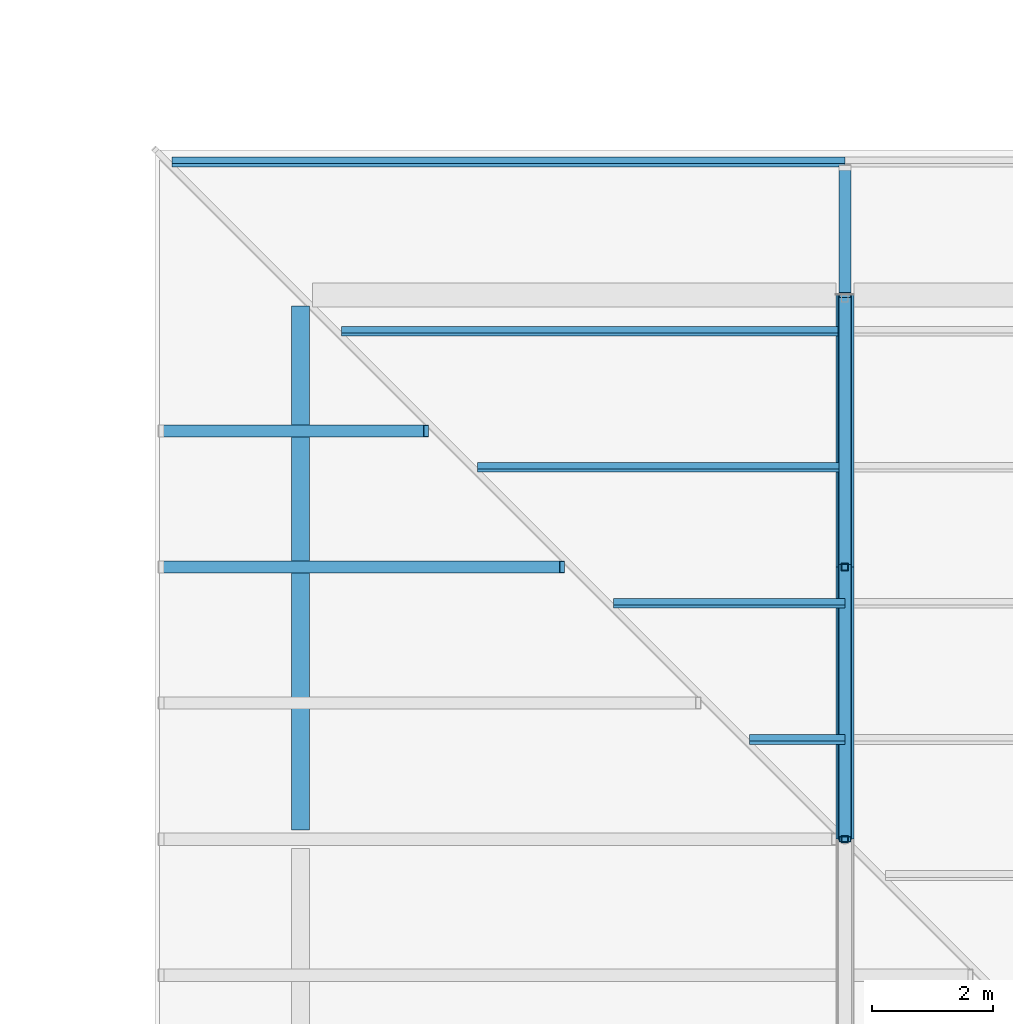
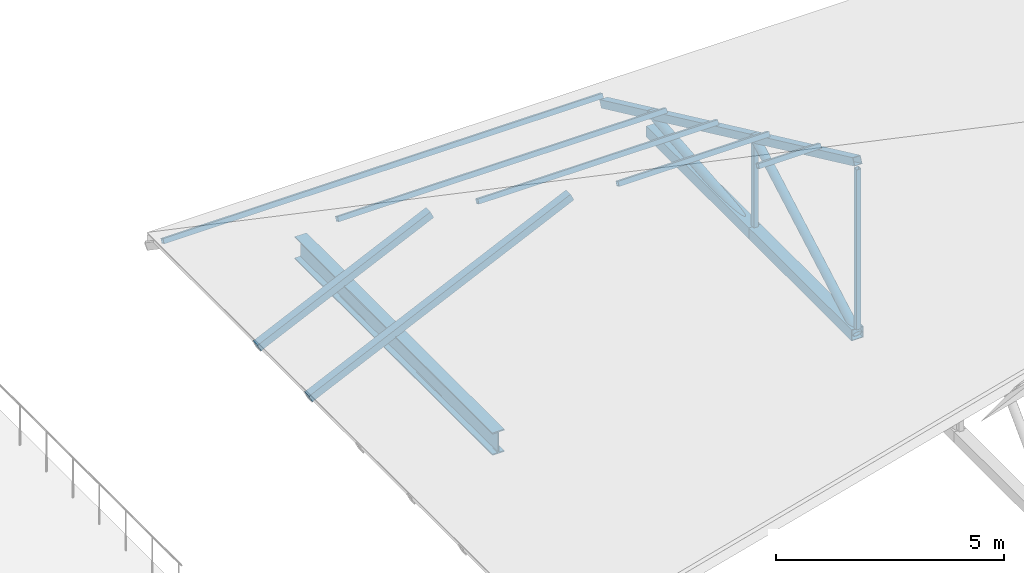
# One storey, part 56 of 154: 16 members, 1 beam.
"""IFC4 building model written with IfcOpenShell, lengths in metres."""

from ifc_helpers import new_model, si_unit, direction, frame, origin, origin_2d, place, context, subcontext, project, spatial, hollow_rectangle, hollow_circle, i_section, extrude, material, material_profile, profile_set, type_object, element, save


model = new_model("IFC4")

# Units and contexts
model_context = context("Model", 3, precision=1e-05, world=origin(), true_north=direction((0.0, 1.0)))
body_context = subcontext(model_context, "Body", "Model", "MODEL_VIEW")
ifc_project = project(units=[si_unit("LENGTHUNIT", "METRE"), si_unit("AREAUNIT", "SQUARE_METRE"), si_unit("VOLUMEUNIT", "CUBIC_METRE"), si_unit("PLANEANGLEUNIT", "RADIAN"), si_unit("MASSUNIT", "GRAM", prefix="KILO")], contexts=[model_context])

# Site, building, storey
site_placement = place(None, origin())
site = spatial("IfcSite", under=ifc_project, at=site_placement, CompositionType="ELEMENT")
building_placement = place(site_placement, origin())
building = spatial("IfcBuilding", under=site, at=building_placement, Name="Golden Quay Civic Hall", CompositionType="ELEMENT")
storey_placement = place(building_placement, frame((0.0, 0.0, 14.39990234375)))
storey = spatial("IfcBuildingStorey", under=building, at=storey_placement, Name="L03", CompositionType="ELEMENT", Elevation=14.39990234375)

# Beam
ifc_material_1 = material(Name="Steel S355", Category="steel")
ifc_material_profile_1 = material_profile(ifc_material_1, i_section(OverallWidth=0.300048828125, OverallDepth=0.60009765625, WebThickness=0.015380859375, FlangeThickness=0.030029296875, FilletRadius=0.027099609375, at=origin_2d()), Name="HEB 600")
ifc_profile_set_1 = profile_set([ifc_material_profile_1], Name="Steel S355")
beam_type = type_object("IfcBeamType", Name="Steel eaves girder HEB 600", PredefinedType="BEAM", material=ifc_profile_set_1)
beam_placement = place(storey_placement, frame((117.0, 90.14990234375, 0.050048828125), z_axis=(0.0, 1.0, 0.0), x_axis=(-1.0, 0.0, 0.0)))
element("IfcBeam", 1, at=beam_placement, inside=storey, type_object=beam_type, Name="Eaves girder 117-4 L03", PredefinedType="BEAM", context=body_context, shape_type="SweptSolid", body=[
    extrude(i_section(OverallWidth=0.300048828125, OverallDepth=0.60009765625, WebThickness=0.015380859375, FlangeThickness=0.030029296875, FilletRadius=0.027099609375, at=origin_2d()), origin(), (0.0, 0.0, 1.0), 8.670166015625),
])

# Members
ifc_material_2 = material(Name="Steel S355", Category="steel")
ifc_material_profile_2 = material_profile(ifc_material_2, hollow_rectangle(XDim=0.199951171875, YDim=0.199951171875, WallThickness=0.010009765625, at=origin_2d()), Name="SHS 200x200x10")
ifc_profile_set_2 = profile_set([ifc_material_profile_2], Name="Steel S355")
member_type_1 = type_object("IfcMemberType", Name="Steel jack rafter SHS 200x200x10", PredefinedType="RAFTER", material=ifc_profile_set_2)
member_1_placement = place(storey_placement, frame((114.699951171875, 94.5, -0.56787109375), z_axis=(0.906304264127, 0.0, 0.422625816563), x_axis=(0.0, 1.0, 0.0)))
element("IfcMember", 2, at=member_1_placement, inside=storey, type_object=member_type_1, Name="Jack rafter west 14 L03", PredefinedType="RAFTER", context=body_context, shape_type="SweptSolid", body=[
    extrude(hollow_rectangle(XDim=0.199951171875, YDim=0.199951171875, WallThickness=0.010009765625, at=origin_2d()), origin(), (0.0, 0.0, 1.0), 7.309814453125),
])
member_2_placement = place(storey_placement, frame((114.699951171875, 96.75, -0.56787109375), z_axis=(0.906312305086, 0.0, 0.422608572617), x_axis=(0.0, 1.0, 0.0)))
element("IfcMember", 3, at=member_2_placement, inside=storey, type_object=member_type_1, Name="Jack rafter west 15 L03", PredefinedType="RAFTER", context=body_context, shape_type="SweptSolid", body=[
    extrude(hollow_rectangle(XDim=0.199951171875, YDim=0.199951171875, WallThickness=0.010009765625, at=origin_2d()), origin(), (0.0, 0.0, 1.0), 4.8271484375),
])
ifc_material_3 = material(Name="Steel S355", Category="steel")
ifc_material_profile_3 = material_profile(ifc_material_3, hollow_rectangle(XDim=0.1201171875, YDim=0.1201171875, WallThickness=0.008056640625, at=origin_2d()), Name="SHS 120x120x8")
ifc_profile_set_3 = profile_set([ifc_material_profile_3], Name="Steel S355")
member_type_2 = type_object("IfcMemberType", Name="Steel roof purlin SHS 120x120x8", PredefinedType="PURLIN", material=ifc_profile_set_3)
member_3_placement = place(storey_placement, frame((114.875, 101.199951171875, -0.521240234375), z_axis=(1.0, 0.0, 0.0), x_axis=(0.0, 0.906307787037, -0.422618261741)))
element("IfcMember", 4, at=member_3_placement, inside=storey, type_object=member_type_2, Name="Purlin north 1-1 L03", PredefinedType="PURLIN", context=body_context, shape_type="SweptSolid", body=[
    extrude(hollow_rectangle(XDim=0.1201171875, YDim=0.1201171875, WallThickness=0.008056640625, at=origin_2d()), origin(), (0.0, 0.0, 1.0), 11.125),
])
member_4_placement = place(storey_placement, frame((117.675048828125, 98.39990234375, 0.784423828125), z_axis=(1.0, 0.0, 0.0), x_axis=(0.0, 0.906307787037, -0.422618261741)))
element("IfcMember", 5, at=member_4_placement, inside=storey, type_object=member_type_2, Name="Purlin north 2-1 L03", PredefinedType="PURLIN", context=body_context, shape_type="SweptSolid", body=[
    extrude(hollow_rectangle(XDim=0.1201171875, YDim=0.1201171875, WallThickness=0.008056640625, at=origin_2d()), origin(), (0.0, 0.0, 1.0), 8.324951171875),
])
member_5_placement = place(storey_placement, frame((119.925048828125, 96.14990234375, 1.83349609375), z_axis=(1.0, 0.0, 0.0), x_axis=(0.0, 0.906307787037, -0.422618261741)))
element("IfcMember", 6, at=member_5_placement, inside=storey, type_object=member_type_2, Name="Purlin north 3-1 L03", PredefinedType="PURLIN", context=body_context, shape_type="SweptSolid", body=[
    extrude(hollow_rectangle(XDim=0.1201171875, YDim=0.1201171875, WallThickness=0.008056640625, at=origin_2d()), origin(), (0.0, 0.0, 1.0), 6.074951171875),
])
member_6_placement = place(storey_placement, frame((122.175048828125, 93.89990234375, 2.8828125), z_axis=(1.0, 0.0, 0.0), x_axis=(0.0, 0.906307787037, -0.422618261741)))
element("IfcMember", 7, at=member_6_placement, inside=storey, type_object=member_type_2, Name="Purlin north 4-1 L03", PredefinedType="PURLIN", context=body_context, shape_type="SweptSolid", body=[
    extrude(hollow_rectangle(XDim=0.1201171875, YDim=0.1201171875, WallThickness=0.008056640625, at=origin_2d()), origin(), (0.0, 0.0, 1.0), 3.824951171875),
])
member_7_placement = place(storey_placement, frame((124.425048828125, 91.64990234375, 3.931884765625), z_axis=(1.0, 0.0, 0.0), x_axis=(0.0, 0.906307787037, -0.422618261741)))
element("IfcMember", 8, at=member_7_placement, inside=storey, type_object=member_type_2, Name="Purlin north 5-1 L03", PredefinedType="PURLIN", context=body_context, shape_type="SweptSolid", body=[
    extrude(hollow_rectangle(XDim=0.1201171875, YDim=0.1201171875, WallThickness=0.008056640625, at=origin_2d()), origin(), (0.0, 0.0, 1.0), 1.574951171875),
])
ifc_material_4 = material(Name="Steel S355", Category="steel")
ifc_material_profile_4 = material_profile(ifc_material_4, hollow_rectangle(XDim=0.300048828125, YDim=0.300048828125, WallThickness=0.01611328125, at=origin_2d()), Name="SHS 300x300x16")
ifc_profile_set_4 = profile_set([ifc_material_profile_4], Name="Steel S355")
member_type_3 = type_object("IfcMemberType", Name="Steel truss bottom chord SHS 300x300x16", PredefinedType="USERDEFINED", material=ifc_profile_set_4)
for number, where, z_axis, x_axis, name in (
    (9, (126.0, 90.0, -0.099853515625), (0.0, 1.0, 0.0), (-1.0, 0.0, 0.0), "Truss 126 bottom chord 7 L03"),
    (10, (126.0, 94.5, -0.099853515625), (0.0, 1.0, 0.0), (-1.0, 0.0, 0.0), "Truss 126 bottom chord 8 L03"),
):
    element("IfcMember", number, at=place(storey_placement, frame(where, z_axis=z_axis, x_axis=x_axis)), inside=storey, type_object=member_type_3, Name=name, ObjectType="TRUSS BOTTOM CHORD", PredefinedType="USERDEFINED", context=body_context, shape_type="SweptSolid", body=[
        extrude(hollow_rectangle(XDim=0.300048828125, YDim=0.300048828125, WallThickness=0.01611328125, at=origin_2d()), origin(), (0.0, 0.0, 1.0), 4.5),
    ])
ifc_material_5 = material(Name="Steel S355", Category="steel")
ifc_material_profile_5 = material_profile(ifc_material_5, hollow_circle(Radius=0.109619140625, WallThickness=0.010009765625, at=origin_2d()), Name="CHS 219.1x10")
ifc_profile_set_5 = profile_set([ifc_material_profile_5], Name="Steel S355")
member_type_4 = type_object("IfcMemberType", Name="Steel truss diagonal CHS 219.1x10", PredefinedType="BRACE", material=ifc_profile_set_5)
member_8_placement = place(storey_placement, frame((126.0, 90.0, -0.099853515625), z_axis=(0.0, 0.871979533951, 0.489542329499), x_axis=(-1.0, 0.0, 0.0)))
element("IfcMember", 11, at=member_8_placement, inside=storey, type_object=member_type_4, Name="Truss 126 diagonal 7 L03", PredefinedType="BRACE", context=body_context, shape_type="SweptSolid", body=[
    extrude(hollow_circle(Radius=0.109619140625, WallThickness=0.010009765625, at=origin_2d()), origin(), (0.0, 0.0, 1.0), 5.16064453125),
])
member_9_placement = place(storey_placement, frame((126.0, 94.5, -0.099853515625), z_axis=(0.0, 0.995512933083, 0.094625578275), x_axis=(-1.0, 0.0, 0.0)))
element("IfcMember", 12, at=member_9_placement, inside=storey, type_object=member_type_4, Name="Truss 126 diagonal 8 L03", PredefinedType="BRACE", context=body_context, shape_type="SweptSolid", body=[
    extrude(hollow_circle(Radius=0.109619140625, WallThickness=0.010009765625, at=origin_2d()), origin(), (0.0, 0.0, 1.0), 4.520263671875),
])
ifc_material_6 = material(Name="Steel S355", Category="steel")
ifc_material_profile_6 = material_profile(ifc_material_6, hollow_rectangle(XDim=0.1201171875, YDim=0.1201171875, WallThickness=0.008056640625, at=origin_2d()), Name="SHS 120x120x8")
ifc_profile_set_6 = profile_set([ifc_material_profile_6], Name="Steel S355")
member_type_5 = type_object("IfcMemberType", Name="Steel truss post SHS 120x120x8", PredefinedType="USERDEFINED", material=ifc_profile_set_6)
member_10_placement = place(storey_placement, frame((126.0, 90.0, 0.050048828125), z_axis=(0.0, 0.0, 1.0), x_axis=(1.0, 0.0, 0.0)))
element("IfcMember", 13, at=member_10_placement, inside=storey, type_object=member_type_5, Name="Truss 126 post 7 L03", ObjectType="TRUSS POST", PredefinedType="USERDEFINED", context=body_context, shape_type="SweptSolid", body=[
    extrude(hollow_rectangle(XDim=0.1201171875, YDim=0.1201171875, WallThickness=0.008056640625, at=origin_2d()), origin(), (0.0, 0.0, 1.0), 4.276123046875),
])
member_11_placement = place(storey_placement, frame((126.0, 94.5, 0.050048828125), z_axis=(0.0, 0.0, 1.0), x_axis=(1.0, 0.0, 0.0)))
element("IfcMember", 14, at=member_11_placement, inside=storey, type_object=member_type_5, Name="Truss 126 post 8 L03", ObjectType="TRUSS POST", PredefinedType="USERDEFINED", context=body_context, shape_type="SweptSolid", body=[
    extrude(hollow_rectangle(XDim=0.1201171875, YDim=0.1201171875, WallThickness=0.008056640625, at=origin_2d()), origin(), (0.0, 0.0, 1.0), 2.26611328125),
])
ifc_material_7 = material(Name="Steel S355", Category="steel")
ifc_material_profile_7 = material_profile(ifc_material_7, hollow_rectangle(XDim=0.199951171875, YDim=0.199951171875, WallThickness=0.010009765625, at=origin_2d()), Name="SHS 200x200x10")
ifc_profile_set_7 = profile_set([ifc_material_profile_7], Name="Steel S355")
member_type_6 = type_object("IfcMemberType", Name="Steel truss top chord SHS 200x200x10", PredefinedType="USERDEFINED", material=ifc_profile_set_7)
member_12_placement = place(storey_placement, frame((126.0, 90.0, 4.52490234375), z_axis=(0.0, 0.906307462258, -0.422618958231), x_axis=(-1.0, 0.0, 0.0)))
element("IfcMember", 15, at=member_12_placement, inside=storey, type_object=member_type_6, Name="Truss 126 top chord 8 L03", ObjectType="TRUSS TOP CHORD", PredefinedType="USERDEFINED", context=body_context, shape_type="SweptSolid", body=[
    extrude(hollow_rectangle(XDim=0.199951171875, YDim=0.199951171875, WallThickness=0.010009765625, at=origin_2d()), origin(), (0.0, 0.0, 1.0), 4.965087890625),
])
member_13_placement = place(storey_placement, frame((126.0, 94.5, 2.426513671875), z_axis=(0.0, 0.906288628397, -0.422659345144), x_axis=(-1.0, 0.0, 0.0)))
element("IfcMember", 16, at=member_13_placement, inside=storey, type_object=member_type_6, Name="Truss 126 top chord 9 L03", ObjectType="TRUSS TOP CHORD", PredefinedType="USERDEFINED", context=body_context, shape_type="SweptSolid", body=[
    extrude(hollow_rectangle(XDim=0.199951171875, YDim=0.199951171875, WallThickness=0.010009765625, at=origin_2d()), origin(), (0.0, 0.0, 1.0), 4.96533203125),
])
member_14_placement = place(storey_placement, frame((126.0, 99.0, 0.327880859375), z_axis=(0.0, 0.906355341487, -0.42251626591), x_axis=(-1.0, 0.0, 0.0)))
element("IfcMember", 17, at=member_14_placement, inside=storey, type_object=member_type_6, Name="Truss 126 top chord 10 L03", ObjectType="TRUSS TOP CHORD", PredefinedType="USERDEFINED", context=body_context, shape_type="SweptSolid", body=[
    extrude(hollow_rectangle(XDim=0.199951171875, YDim=0.199951171875, WallThickness=0.010009765625, at=origin_2d()), origin(), (0.0, 0.0, 1.0), 2.317138671875),
])

save(model, "model.ifc")
